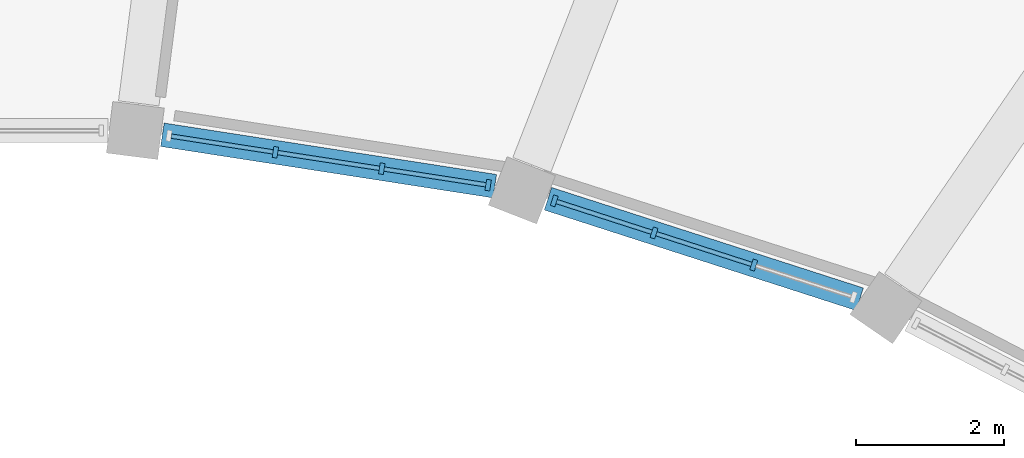
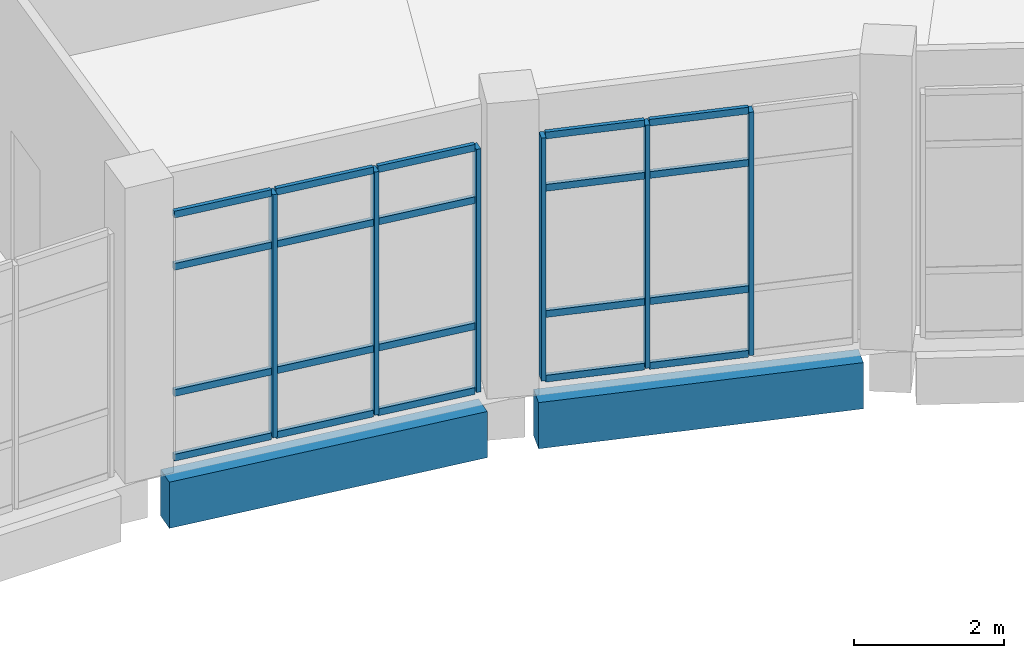
# One storey, part 21 of 179: 26 members, 2 beams, 2 elements without a shape of their own.
"""IFC4 building model written with IfcOpenShell, lengths in metres."""

from ifc_helpers import new_model, si_unit, direction, frame, origin, origin_2d, place, context, subcontext, project, spatial, rectangle, extrude, material, layer, layer_set, material_profile, profile_set, type_object, element, aggregate, save


model = new_model("IFC4")

# Units and contexts
model_context = context("Model", 3, precision=1e-05, world=origin(), true_north=direction((0.0, 1.0)))
body_context = subcontext(model_context, "Body", "Model", "MODEL_VIEW")
ifc_project = project(units=[si_unit("LENGTHUNIT", "METRE"), si_unit("AREAUNIT", "SQUARE_METRE"), si_unit("VOLUMEUNIT", "CUBIC_METRE"), si_unit("PLANEANGLEUNIT", "RADIAN"), si_unit("MASSUNIT", "GRAM", prefix="KILO")], contexts=[model_context])

# Site, building, storey
site_placement = place(None, origin())
site = spatial("IfcSite", under=ifc_project, at=site_placement, CompositionType="ELEMENT")
building_placement = place(site_placement, origin())
building = spatial("IfcBuilding", under=site, at=building_placement, Name="Corvandel Quay Wholesale Market", CompositionType="ELEMENT")
storey_placement = place(building_placement, frame((0.0, 0.0, 6.0)))
storey = spatial("IfcBuildingStorey", under=building, at=storey_placement, Name="L01", CompositionType="ELEMENT", Elevation=6.0)

# Curtain wall, members
ifc_material_1 = material(Name="Bronze anodised aluminium and low-E insulated glazing", Category="aluminium")
ifc_layer_1 = layer(ifc_material_1, 0.14990234375)
ifc_layer_set_1 = layer_set([ifc_layer_1], Name="Bronze anodised aluminium and low-E insulated glazing")
curtain_wall_type_1 = type_object("IfcCurtainWallType", Name="Stick Curtain Wall System CW20 H4800", PredefinedType="NOTDEFINED", material=ifc_layer_set_1)
curtain_wall_1_placement = place(storey_placement, origin())
curtain_wall_1 = element("IfcCurtainWall", 1, at=curtain_wall_1_placement, inside=storey, type_object=curtain_wall_type_1, Name="Curtain Wall CW-0016", PredefinedType="NOTDEFINED")
ifc_material_2 = material(Name="Anodised aluminium 6063-T6", Category="aluminium")
ifc_material_profile_1 = material_profile(ifc_material_2, rectangle(XDim=0.06494140625, YDim=0.14990234375, at=origin_2d()), Name="ALU-MUL-65x150")
ifc_profile_set_1 = profile_set([ifc_material_profile_1], Name="Anodised aluminium 6063-T6")
member_type_1 = type_object("IfcMemberType", Name="Curtain Wall Mullion ML02 65x150", PredefinedType="MULLION", material=ifc_profile_set_1)
member_1_placement = place(storey_placement, frame((125.00537109375, 61.184814453125, 0.0), z_axis=(0.0, 0.0, 1.0), x_axis=(-0.951808747363, 0.306692204733, 0.0)))
member_1 = element("IfcMember", 2, at=member_1_placement, type_object=member_type_1, Name="Mullion CW-0016-M01", PredefinedType="MULLION", context=body_context, shape_type="SweptSolid", body=[
    extrude(rectangle(XDim=0.06494140625, YDim=0.14990234375, at=origin_2d()), origin(), (0.0, 0.0, 1.0), 3.949951171875),
])
member_2_placement = place(storey_placement, frame((123.65966796875, 61.618408203125, 0.0), z_axis=(0.0, 0.0, 1.0), x_axis=(-0.951808747363, 0.306692204733, 0.0)))
member_2 = element("IfcMember", 3, at=member_2_placement, type_object=member_type_1, Name="Mullion CW-0016-M02", PredefinedType="MULLION", context=body_context, shape_type="SweptSolid", body=[
    extrude(rectangle(XDim=0.06494140625, YDim=0.14990234375, at=origin_2d()), origin(), (0.0, 0.0, 1.0), 3.949951171875),
])
member_3_placement = place(storey_placement, frame((122.313720703125, 62.052001953125, 0.0), z_axis=(0.0, 0.0, 1.0), x_axis=(-0.951808747363, 0.306692204733, 0.0)))
member_3 = element("IfcMember", 4, at=member_3_placement, type_object=member_type_1, Name="Mullion CW-0016-M03", PredefinedType="MULLION", context=body_context, shape_type="SweptSolid", body=[
    extrude(rectangle(XDim=0.06494140625, YDim=0.14990234375, at=origin_2d()), origin(), (0.0, 0.0, 1.0), 3.949951171875),
])

ifc_layer_2 = layer(ifc_material_1, 0.162109375)
ifc_layer_set_2 = layer_set([ifc_layer_2], Name="Bronze anodised aluminium and low-E insulated glazing")
curtain_wall_type_2 = type_object("IfcCurtainWallType", Name="Stick Curtain Wall System CW21 H4890", PredefinedType="NOTDEFINED", material=ifc_layer_set_2)
curtain_wall_2_placement = place(storey_placement, origin())
curtain_wall_2 = element("IfcCurtainWall", 5, at=curtain_wall_2_placement, inside=storey, type_object=curtain_wall_type_2, Name="Curtain Wall CW-0020", PredefinedType="NOTDEFINED")
member_4_placement = place(storey_placement, frame((121.42138671875, 62.26318359375, 0.0), z_axis=(0.0, 0.0, 1.0), x_axis=(-0.98825506746, 0.152813355565, 0.0)))
member_4 = element("IfcMember", 6, at=member_4_placement, type_object=member_type_1, Name="Mullion CW-0020-M00", PredefinedType="MULLION", context=body_context, shape_type="SweptSolid", body=[
    extrude(rectangle(XDim=0.06494140625, YDim=0.14990234375, at=origin_2d()), origin(), (0.0, 0.0, 1.0), 3.949951171875),
])
member_5_placement = place(storey_placement, frame((119.985595703125, 62.4853515625, 0.0), z_axis=(0.0, 0.0, 1.0), x_axis=(-0.98825506746, 0.152813355565, 0.0)))
member_5 = element("IfcMember", 7, at=member_5_placement, type_object=member_type_1, Name="Mullion CW-0020-M01", PredefinedType="MULLION", context=body_context, shape_type="SweptSolid", body=[
    extrude(rectangle(XDim=0.06494140625, YDim=0.14990234375, at=origin_2d()), origin(), (0.0, 0.0, 1.0), 3.949951171875),
])
member_6_placement = place(storey_placement, frame((118.549560546875, 62.70751953125, 0.0), z_axis=(0.0, 0.0, 1.0), x_axis=(-0.98825506746, 0.152813355565, 0.0)))
member_6 = element("IfcMember", 8, at=member_6_placement, type_object=member_type_1, Name="Mullion CW-0020-M02", PredefinedType="MULLION", context=body_context, shape_type="SweptSolid", body=[
    extrude(rectangle(XDim=0.06494140625, YDim=0.14990234375, at=origin_2d()), origin(), (0.0, 0.0, 1.0), 3.949951171875),
])

# Member
ifc_material_profile_2 = material_profile(ifc_material_2, rectangle(XDim=0.06005859375, YDim=0.110107421875, at=origin_2d()), Name="ALU-TRN-60x110")
ifc_profile_set_2 = profile_set([ifc_material_profile_2], Name="Anodised aluminium 6063-T6")
member_type_2 = type_object("IfcMemberType", Name="Curtain Wall Transom TR02 60x110", PredefinedType="USERDEFINED", material=ifc_profile_set_2)
member_7_placement = place(storey_placement, frame((124.974609375, 61.194580078125, 0.0), z_axis=(-0.951802374527, 0.306711981906, 0.0), x_axis=(-0.306711981906, -0.951802374527, 0.0)))
member_7 = element("IfcMember", 9, at=member_7_placement, type_object=member_type_2, Name="Transom CW-0016-T01-0", ObjectType="TRANSOM", PredefinedType="USERDEFINED", context=body_context, shape_type="SweptSolid", body=[
    extrude(rectangle(XDim=0.06005859375, YDim=0.110107421875, at=origin_2d()), origin(), (0.0, 0.0, 1.0), 1.34912109375),
])

member_8_placement = place(storey_placement, frame((124.974609375, 61.194580078125, 1.050048828125), z_axis=(-0.951802374527, 0.306711981906, 0.0), x_axis=(-0.306711981906, -0.951802374527, 0.0)))
member_8 = element("IfcMember", 10, at=member_8_placement, type_object=member_type_2, Name="Transom CW-0016-T01-1", ObjectType="TRANSOM", PredefinedType="USERDEFINED", context=body_context, shape_type="SweptSolid", body=[
    extrude(rectangle(XDim=0.06005859375, YDim=0.110107421875, at=origin_2d()), origin(), (0.0, 0.0, 1.0), 1.34912109375),
])

member_9_placement = place(storey_placement, frame((124.974609375, 61.194580078125, 3.10009765625), z_axis=(-0.951802374527, 0.306711981906, 0.0), x_axis=(-0.306711981906, -0.951802374527, 0.0)))
member_9 = element("IfcMember", 11, at=member_9_placement, type_object=member_type_2, Name="Transom CW-0016-T01-2", ObjectType="TRANSOM", PredefinedType="USERDEFINED", context=body_context, shape_type="SweptSolid", body=[
    extrude(rectangle(XDim=0.06005859375, YDim=0.110107421875, at=origin_2d()), origin(), (0.0, 0.0, 1.0), 1.34912109375),
])

member_10_placement = place(storey_placement, frame((124.974609375, 61.194580078125, 3.949951171875), z_axis=(-0.951802374527, 0.306711981906, 0.0), x_axis=(-0.306711981906, -0.951802374527, 0.0)))
member_10 = element("IfcMember", 12, at=member_10_placement, type_object=member_type_2, Name="Transom CW-0016-T01-3", ObjectType="TRANSOM", PredefinedType="USERDEFINED", context=body_context, shape_type="SweptSolid", body=[
    extrude(rectangle(XDim=0.06005859375, YDim=0.110107421875, at=origin_2d()), origin(), (0.0, 0.0, 1.0), 1.34912109375),
])

member_11_placement = place(storey_placement, frame((123.628662109375, 61.62841796875, 0.0), z_axis=(-0.951838178612, 0.30660085084, 0.0), x_axis=(-0.30660085084, -0.951838178612, 0.0)))
member_11 = element("IfcMember", 13, at=member_11_placement, type_object=member_type_2, Name="Transom CW-0016-T02-0", ObjectType="TRANSOM", PredefinedType="USERDEFINED", context=body_context, shape_type="SweptSolid", body=[
    extrude(rectangle(XDim=0.06005859375, YDim=0.110107421875, at=origin_2d()), origin(), (0.0, 0.0, 1.0), 1.348876953125),
])

member_12_placement = place(storey_placement, frame((123.628662109375, 61.62841796875, 1.050048828125), z_axis=(-0.951838178612, 0.30660085084, 0.0), x_axis=(-0.30660085084, -0.951838178612, 0.0)))
member_12 = element("IfcMember", 14, at=member_12_placement, type_object=member_type_2, Name="Transom CW-0016-T02-1", ObjectType="TRANSOM", PredefinedType="USERDEFINED", context=body_context, shape_type="SweptSolid", body=[
    extrude(rectangle(XDim=0.06005859375, YDim=0.110107421875, at=origin_2d()), origin(), (0.0, 0.0, 1.0), 1.348876953125),
])

member_13_placement = place(storey_placement, frame((123.628662109375, 61.62841796875, 3.10009765625), z_axis=(-0.951838178612, 0.30660085084, 0.0), x_axis=(-0.30660085084, -0.951838178612, 0.0)))
member_13 = element("IfcMember", 15, at=member_13_placement, type_object=member_type_2, Name="Transom CW-0016-T02-2", ObjectType="TRANSOM", PredefinedType="USERDEFINED", context=body_context, shape_type="SweptSolid", body=[
    extrude(rectangle(XDim=0.06005859375, YDim=0.110107421875, at=origin_2d()), origin(), (0.0, 0.0, 1.0), 1.348876953125),
])

member_14_placement = place(storey_placement, frame((123.628662109375, 61.62841796875, 3.949951171875), z_axis=(-0.951838178612, 0.30660085084, 0.0), x_axis=(-0.30660085084, -0.951838178612, 0.0)))
member_14 = element("IfcMember", 16, at=member_14_placement, type_object=member_type_2, Name="Transom CW-0016-T02-3", ObjectType="TRANSOM", PredefinedType="USERDEFINED", context=body_context, shape_type="SweptSolid", body=[
    extrude(rectangle(XDim=0.06005859375, YDim=0.110107421875, at=origin_2d()), origin(), (0.0, 0.0, 1.0), 1.348876953125),
])

aggregate(curtain_wall_1, [member_1, member_2, member_3, member_7, member_8, member_9, member_10, member_11, member_12, member_13, member_14])

member_15_placement = place(storey_placement, frame((121.389404296875, 62.268310546875, 0.0), z_axis=(-0.988251427893, 0.152836891055, 0.0), x_axis=(-0.152836891055, -0.988251427893, 0.0)))
member_15 = element("IfcMember", 17, at=member_15_placement, type_object=member_type_2, Name="Transom CW-0020-T00-0", ObjectType="TRANSOM", PredefinedType="USERDEFINED", context=body_context, shape_type="SweptSolid", body=[
    extrude(rectangle(XDim=0.06005859375, YDim=0.110107421875, at=origin_2d()), origin(), (0.0, 0.0, 1.0), 1.38818359375),
])

member_16_placement = place(storey_placement, frame((121.389404296875, 62.268310546875, 1.050048828125), z_axis=(-0.988251427893, 0.152836891055, 0.0), x_axis=(-0.152836891055, -0.988251427893, 0.0)))
member_16 = element("IfcMember", 18, at=member_16_placement, type_object=member_type_2, Name="Transom CW-0020-T00-1", ObjectType="TRANSOM", PredefinedType="USERDEFINED", context=body_context, shape_type="SweptSolid", body=[
    extrude(rectangle(XDim=0.06005859375, YDim=0.110107421875, at=origin_2d()), origin(), (0.0, 0.0, 1.0), 1.38818359375),
])

member_17_placement = place(storey_placement, frame((121.389404296875, 62.268310546875, 3.10009765625), z_axis=(-0.988251427893, 0.152836891055, 0.0), x_axis=(-0.152836891055, -0.988251427893, 0.0)))
member_17 = element("IfcMember", 19, at=member_17_placement, type_object=member_type_2, Name="Transom CW-0020-T00-2", ObjectType="TRANSOM", PredefinedType="USERDEFINED", context=body_context, shape_type="SweptSolid", body=[
    extrude(rectangle(XDim=0.06005859375, YDim=0.110107421875, at=origin_2d()), origin(), (0.0, 0.0, 1.0), 1.38818359375),
])

member_18_placement = place(storey_placement, frame((121.389404296875, 62.268310546875, 3.949951171875), z_axis=(-0.988251427893, 0.152836891055, 0.0), x_axis=(-0.152836891055, -0.988251427893, 0.0)))
member_18 = element("IfcMember", 20, at=member_18_placement, type_object=member_type_2, Name="Transom CW-0020-T00-3", ObjectType="TRANSOM", PredefinedType="USERDEFINED", context=body_context, shape_type="SweptSolid", body=[
    extrude(rectangle(XDim=0.06005859375, YDim=0.110107421875, at=origin_2d()), origin(), (0.0, 0.0, 1.0), 1.38818359375),
])

member_19_placement = place(storey_placement, frame((119.953369140625, 62.490478515625, 0.0), z_axis=(-0.988247318497, 0.152863460266, 0.0), x_axis=(-0.152863460266, -0.988247318497, 0.0)))
member_19 = element("IfcMember", 21, at=member_19_placement, type_object=member_type_2, Name="Transom CW-0020-T01-0", ObjectType="TRANSOM", PredefinedType="USERDEFINED", context=body_context, shape_type="SweptSolid", body=[
    extrude(rectangle(XDim=0.06005859375, YDim=0.110107421875, at=origin_2d()), origin(), (0.0, 0.0, 1.0), 1.387939453125),
])

member_20_placement = place(storey_placement, frame((119.953369140625, 62.490478515625, 1.050048828125), z_axis=(-0.988247318497, 0.152863460266, 0.0), x_axis=(-0.152863460266, -0.988247318497, 0.0)))
member_20 = element("IfcMember", 22, at=member_20_placement, type_object=member_type_2, Name="Transom CW-0020-T01-1", ObjectType="TRANSOM", PredefinedType="USERDEFINED", context=body_context, shape_type="SweptSolid", body=[
    extrude(rectangle(XDim=0.06005859375, YDim=0.110107421875, at=origin_2d()), origin(), (0.0, 0.0, 1.0), 1.387939453125),
])

member_21_placement = place(storey_placement, frame((119.953369140625, 62.490478515625, 3.10009765625), z_axis=(-0.988247318497, 0.152863460266, 0.0), x_axis=(-0.152863460266, -0.988247318497, 0.0)))
member_21 = element("IfcMember", 23, at=member_21_placement, type_object=member_type_2, Name="Transom CW-0020-T01-2", ObjectType="TRANSOM", PredefinedType="USERDEFINED", context=body_context, shape_type="SweptSolid", body=[
    extrude(rectangle(XDim=0.06005859375, YDim=0.110107421875, at=origin_2d()), origin(), (0.0, 0.0, 1.0), 1.387939453125),
])

member_22_placement = place(storey_placement, frame((119.953369140625, 62.490478515625, 3.949951171875), z_axis=(-0.988247318497, 0.152863460266, 0.0), x_axis=(-0.152863460266, -0.988247318497, 0.0)))
member_22 = element("IfcMember", 24, at=member_22_placement, type_object=member_type_2, Name="Transom CW-0020-T01-3", ObjectType="TRANSOM", PredefinedType="USERDEFINED", context=body_context, shape_type="SweptSolid", body=[
    extrude(rectangle(XDim=0.06005859375, YDim=0.110107421875, at=origin_2d()), origin(), (0.0, 0.0, 1.0), 1.387939453125),
])

member_23_placement = place(storey_placement, frame((118.517333984375, 62.71240234375, 0.0), z_axis=(-0.988220730505, 0.153035250185, 0.0), x_axis=(-0.153035250185, -0.988220730505, 0.0)))
member_23 = element("IfcMember", 25, at=member_23_placement, type_object=member_type_2, Name="Transom CW-0020-T02-0", ObjectType="TRANSOM", PredefinedType="USERDEFINED", context=body_context, shape_type="SweptSolid", body=[
    extrude(rectangle(XDim=0.06005859375, YDim=0.110107421875, at=origin_2d()), origin(), (0.0, 0.0, 1.0), 1.387939453125),
])

member_24_placement = place(storey_placement, frame((118.517333984375, 62.71240234375, 1.050048828125), z_axis=(-0.988220730505, 0.153035250185, 0.0), x_axis=(-0.153035250185, -0.988220730505, 0.0)))
member_24 = element("IfcMember", 26, at=member_24_placement, type_object=member_type_2, Name="Transom CW-0020-T02-1", ObjectType="TRANSOM", PredefinedType="USERDEFINED", context=body_context, shape_type="SweptSolid", body=[
    extrude(rectangle(XDim=0.06005859375, YDim=0.110107421875, at=origin_2d()), origin(), (0.0, 0.0, 1.0), 1.387939453125),
])

member_25_placement = place(storey_placement, frame((118.517333984375, 62.71240234375, 3.10009765625), z_axis=(-0.988220730505, 0.153035250185, 0.0), x_axis=(-0.153035250185, -0.988220730505, 0.0)))
member_25 = element("IfcMember", 27, at=member_25_placement, type_object=member_type_2, Name="Transom CW-0020-T02-2", ObjectType="TRANSOM", PredefinedType="USERDEFINED", context=body_context, shape_type="SweptSolid", body=[
    extrude(rectangle(XDim=0.06005859375, YDim=0.110107421875, at=origin_2d()), origin(), (0.0, 0.0, 1.0), 1.387939453125),
])

member_26_placement = place(storey_placement, frame((118.517333984375, 62.71240234375, 3.949951171875), z_axis=(-0.988220730505, 0.153035250185, 0.0), x_axis=(-0.153035250185, -0.988220730505, 0.0)))
member_26 = element("IfcMember", 28, at=member_26_placement, type_object=member_type_2, Name="Transom CW-0020-T02-3", ObjectType="TRANSOM", PredefinedType="USERDEFINED", context=body_context, shape_type="SweptSolid", body=[
    extrude(rectangle(XDim=0.06005859375, YDim=0.110107421875, at=origin_2d()), origin(), (0.0, 0.0, 1.0), 1.387939453125),
])

aggregate(curtain_wall_2, [member_4, member_5, member_6, member_15, member_16, member_17, member_18, member_19, member_20, member_21, member_22, member_23, member_24, member_25, member_26])

# Beams
ifc_material_3 = material(Name="Precast concrete C45/55", Category="concrete")
ifc_material_profile_3 = material_profile(ifc_material_3, rectangle(XDim=0.320068359375, YDim=0.75, at=origin_2d()), Name="PC-SPN-320x750")
ifc_profile_set_3 = profile_set([ifc_material_profile_3], Name="Precast concrete C45/55")
beam_type = type_object("IfcBeamType", Name="Pavilion Precast Spandrel SP02 320x750", PredefinedType="SPANDREL", material=ifc_profile_set_3)
beam_1_placement = place(storey_placement, frame((126.436767578125, 60.723388671875, -0.655029296875), z_axis=(-0.951799647142, 0.30672044552, 0.0), x_axis=(-0.30672044552, -0.951799647142, 0.0)))
element("IfcBeam", 29, at=beam_1_placement, inside=storey, type_object=beam_type, Name="Beam BM-0069", PredefinedType="SPANDREL", context=body_context, shape_type="SweptSolid", body=[
    extrude(rectangle(XDim=0.320068359375, YDim=0.75, at=origin_2d()), origin(), (0.0, 0.0, 1.0), 4.421630859375),
])
beam_2_placement = place(storey_placement, frame((121.51025390625, 62.24951171875, -0.655029296875), z_axis=(-0.988247001744, 0.152865508026, 0.0), x_axis=(-0.152865508026, -0.988247001744, 0.0)))
element("IfcBeam", 30, at=beam_2_placement, inside=storey, type_object=beam_type, Name="Beam BM-0082", PredefinedType="SPANDREL", context=body_context, shape_type="SweptSolid", body=[
    extrude(rectangle(XDim=0.320068359375, YDim=0.75, at=origin_2d()), origin(), (0.0, 0.0, 1.0), 4.5390625),
])

save(model, "model.ifc")
